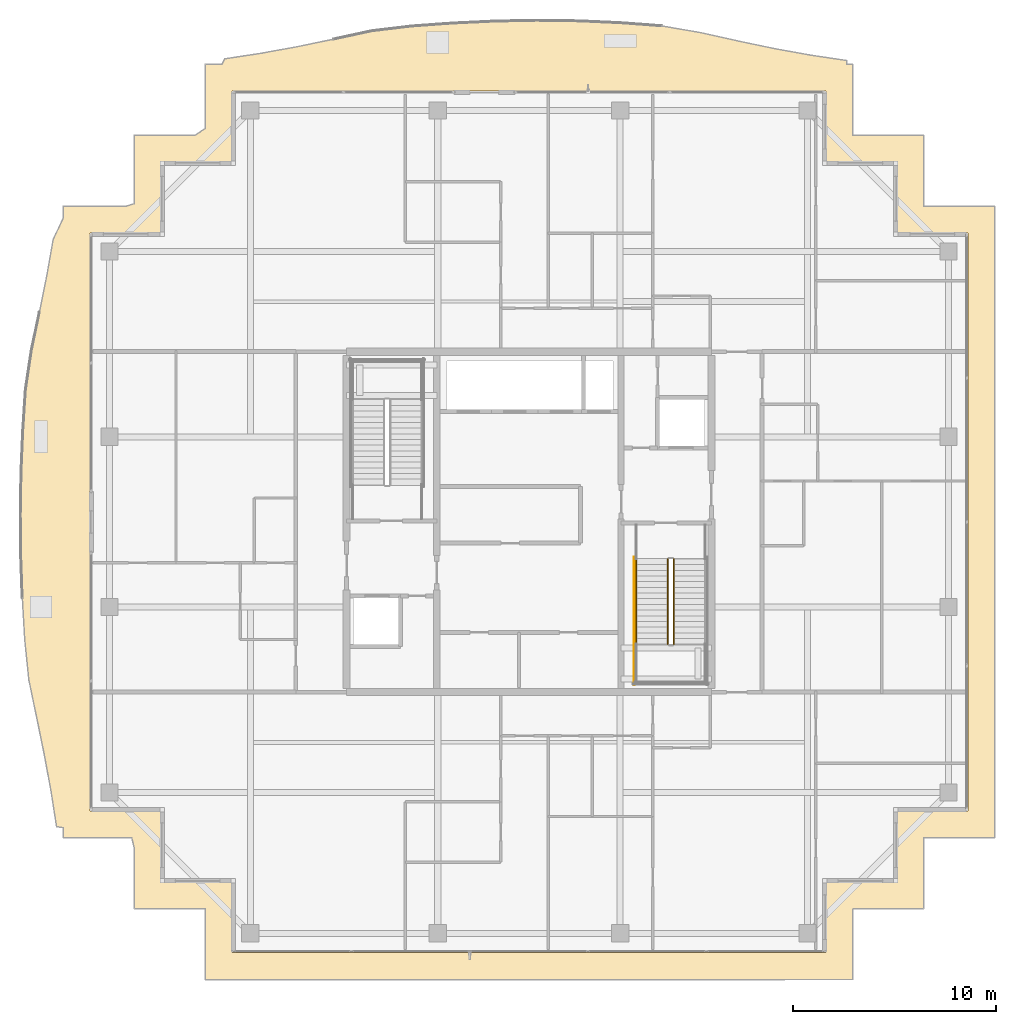
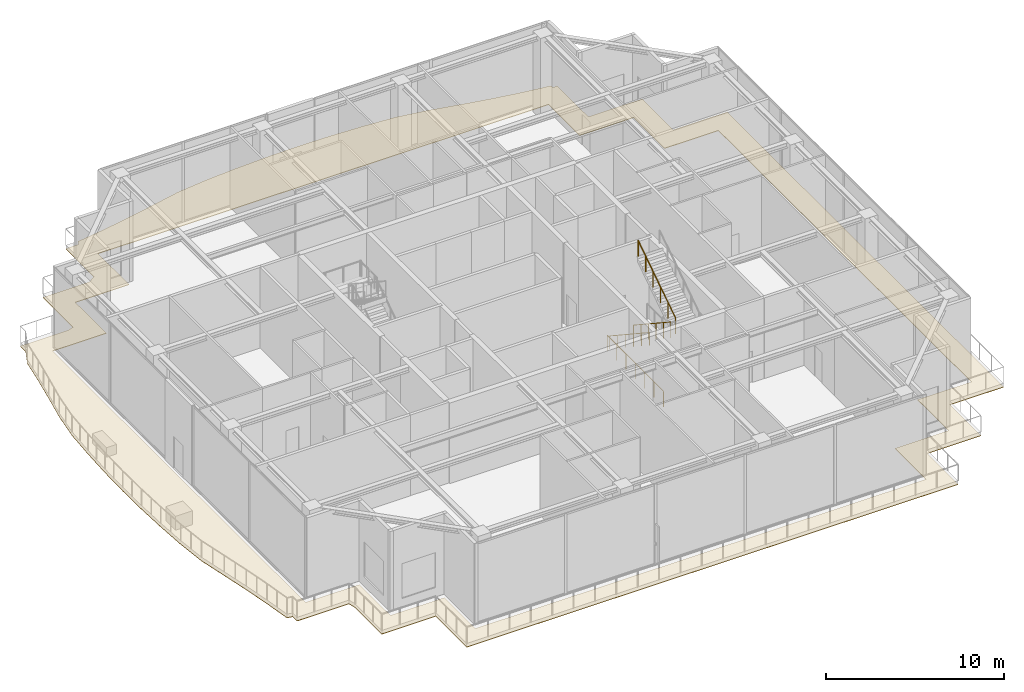
# One storey, part 35 of 38: 4 railings, 1 covering.
"""IFC4 building model written with IfcOpenShell, lengths in metres."""

from ifc_helpers import new_model, si_unit, direction, frame, origin, origin_2d, place, context, subcontext, project, spatial, polyline, circle, outline, extrude, material, layer, layer_set, type_object, element, save


model = new_model("IFC4")

# Units and contexts
model_context = context("Model", 3, precision=1e-05, world=origin(), true_north=direction((0.0, 1.0)))
body_context = subcontext(model_context, "Body", "Model", "MODEL_VIEW")
ifc_project = project(units=[si_unit("LENGTHUNIT", "METRE"), si_unit("AREAUNIT", "SQUARE_METRE"), si_unit("VOLUMEUNIT", "CUBIC_METRE"), si_unit("PLANEANGLEUNIT", "RADIAN"), si_unit("MASSUNIT", "GRAM", prefix="KILO")], contexts=[model_context])

# Site, building, storey
site_placement = place(None, origin())
site = spatial("IfcSite", under=ifc_project, at=site_placement, CompositionType="ELEMENT")
building_placement = place(site_placement, origin())
building = spatial("IfcBuilding", under=site, at=building_placement, Name="Serunith Strait Residences", CompositionType="ELEMENT")
storey_placement = place(building_placement, frame((0.0, 0.0, 353.85009765625)))
storey = spatial("IfcBuildingStorey", under=building, at=storey_placement, Name="L87", CompositionType="ELEMENT", Elevation=353.85009765625)

# Covering
ifc_material_1 = material(Name="Golden Teak Exterior Timber Boarding", Category="wood")
ifc_layer = layer(ifc_material_1, 0.034912109375, Name="Golden Teak Exterior Timber Boarding")
ifc_layer_set = layer_set([ifc_layer], Name="Golden Teak Exterior Timber Boarding")
covering_type = type_object("IfcCoveringType", Name="COV-TEAK-SOFFIT", PredefinedType="CEILING", material=ifc_layer_set)
covering_placement = place(storey_placement, frame((0.0, 0.0, -0.3251953125)))
element("IfcCovering", 1, at=covering_placement, inside=storey, type_object=covering_type, Name="L87 Golden-Teak Balcony Soffit Lining", PredefinedType="CEILING", context=body_context, shape_type="SweptSolid", body=[
    extrude(outline(polyline([(9.419921875, 9.6201171875), (9.419921875, 10.1142578125), (9.08935546875, 10.1630859375), (8.811767578125, 11.931640625), (8.481201171875, 13.720458984375), (8.108154296875, 15.547119140625), (7.716064453125, 17.42919921875), (7.515869140625, 19.420654296875), (7.3984375, 21.45751953125), (7.327392578125, 23.516845703125), (7.307861328125, 25.587158203125), (7.341796875, 27.655517578125), (7.42724609375, 29.708984375), (7.55859375, 31.736083984375), (7.85205078125, 33.685791015625), (8.243408203125, 35.544921875), (8.605224609375, 37.3544921875), (8.919189453125, 39.1328125), (9.419921875, 40.197265625), (9.419921875, 40.780029296875), (12.509765625, 40.780029296875), (12.919921875, 40.90283203125), (12.919921875, 44.280029296875), (15.913818359375, 44.280029296875), (16.419921875, 44.608154296875), (16.419921875, 47.780029296875), (17.244384765625, 47.780029296875), (17.380615234375, 48.052490234375), (19.149169921875, 48.32080078125), (20.935302734375, 48.645751953125), (22.755615234375, 49.02099609375), (24.629150390625, 49.426513671875), (26.61083984375, 49.664306640625), (28.646728515625, 49.809326171875), (30.710205078125, 49.90673828125), (32.7890625, 49.945068359375), (34.867919921875, 49.91748046875), (36.929931640625, 49.82470703125), (38.961181640625, 49.6748046875), (40.902099609375, 49.340087890625), (42.751708984375, 48.92529296875), (44.551513671875, 48.548828125), (46.322509765625, 48.229248046875), (48.081298828125, 47.969970703125), (48.079345703125, 47.780029296875), (48.3798828125, 47.780029296875), (48.3798828125, 44.280029296875), (51.8798828125, 44.280029296875), (51.8798828125, 40.780029296875), (55.3798828125, 40.780029296875), (55.3798828125, 9.6201171875), (51.8798828125, 9.6201171875), (51.8798828125, 6.1201171875), (48.43212890625, 6.1201171875), (48.3798828125, 6.0927734375), (48.3798828125, 2.6201171875), (16.419921875, 2.6201171875), (16.419921875, 6.1201171875), (12.919921875, 6.1201171875), (12.919921875, 9.119140625), (12.79931640625, 9.6201171875), (9.419921875, 9.6201171875)]), holes=[polyline([(47.054931640625, 3.945068359375), (47.054931640625, 7.445068359375), (50.554931640625, 7.445068359375), (50.554931640625, 10.945068359375), (54.054931640625, 10.945068359375), (54.054931640625, 39.455078125), (50.554931640625, 39.455078125), (50.554931640625, 42.955078125), (47.054931640625, 42.955078125), (47.054931640625, 46.455078125), (17.7451171875, 46.455078125), (17.7451171875, 42.955078125), (14.2451171875, 42.955078125), (14.2451171875, 39.455078125), (10.7451171875, 39.455078125), (10.7451171875, 10.945068359375), (14.2451171875, 10.945068359375), (14.2451171875, 7.445068359375), (17.7451171875, 7.445068359375), (17.7451171875, 3.945068359375), (47.054931640625, 3.945068359375)])]), origin(), (0.0, 0.0, 1.0), 0.03515625),
])

# Railings
ifc_material_2 = material(Name="Brushed stainless steel 316L", Category="steel")
railing_type_1 = type_object("IfcRailingType", Name="RLG-STAIR-GUARD", PredefinedType="BALUSTRADE", material=ifc_material_2)
railing_1_placement = place(storey_placement, frame((39.25, 23.3701171875, 0.184326171875)))
element("IfcRailing", 2, at=railing_1_placement, inside=storey, type_object=railing_type_1, Name="L87 ST-2 stair guard 1", PredefinedType="BALUSTRADE", context=body_context, shape_type="SweptSolid", body=[
    extrude(circle(Radius=0.02392578125, at=origin_2d()), frame((0.0, -0.001708984375, 1.0771484375), z_axis=(0.0, -0.835203496638, 0.549941014294), x_axis=(1.0, 0.0, 0.0)), (0.0, 0.0, 1.0), 5.02490234375),
    extrude(circle(Radius=0.02099609375, at=origin_2d()), origin(), (0.0, 0.0, 1.0), 1.050048828125),
    extrude(circle(Radius=0.02099609375, at=origin_2d()), frame((0.0, -0.840087890625, 0.55322265625)), (0.0, 0.0, 1.0), 1.050048828125),
    extrude(circle(Radius=0.02099609375, at=origin_2d()), frame((0.0, -1.68017578125, 1.106201171875)), (0.0, 0.0, 1.0), 1.050048828125),
    extrude(circle(Radius=0.02099609375, at=origin_2d()), frame((0.0, -2.52001953125, 1.659423828125)), (0.0, 0.0, 1.0), 1.050048828125),
    extrude(circle(Radius=0.02099609375, at=origin_2d()), frame((0.0, -3.360107421875, 2.21240234375)), (0.0, 0.0, 1.0), 1.050048828125),
    extrude(circle(Radius=0.02099609375, at=origin_2d()), frame((0.0, -4.2001953125, 2.765625)), (0.0, 0.0, 1.0), 1.050048828125),
])
railing_2_placement = place(storey_placement, frame((39.550048828125, 19.169921875, 3.13427734375)))
element("IfcRailing", 3, at=railing_2_placement, inside=storey, type_object=railing_type_1, Name="L87 ST-2 stair guard 6", PredefinedType="BALUSTRADE", context=body_context, shape_type="SweptSolid", body=[
    extrude(circle(Radius=0.02392578125, at=origin_2d()), frame((0.0, 0.001708984375, 1.0771484375), z_axis=(0.0, 0.835203496638, 0.549941014294), x_axis=(-1.0, 0.0, 0.0)), (0.0, 0.0, 1.0), 5.02490234375),
    extrude(circle(Radius=0.02099609375, at=origin_2d()), origin(), (0.0, 0.0, 1.0), 1.050048828125),
    extrude(circle(Radius=0.02099609375, at=origin_2d()), frame((0.0, 0.840087890625, 0.55322265625)), (0.0, 0.0, 1.0), 1.050048828125),
    extrude(circle(Radius=0.02099609375, at=origin_2d()), frame((0.0, 1.68017578125, 1.106201171875)), (0.0, 0.0, 1.0), 1.050048828125),
    extrude(circle(Radius=0.02099609375, at=origin_2d()), frame((0.0, 2.52001953125, 1.659423828125)), (0.0, 0.0, 1.0), 1.050048828125),
    extrude(circle(Radius=0.02099609375, at=origin_2d()), frame((0.0, 3.360107421875, 2.21240234375)), (0.0, 0.0, 1.0), 1.050048828125),
    extrude(circle(Radius=0.02099609375, at=origin_2d()), frame((0.0, 4.2001953125, 2.765625)), (0.0, 0.0, 1.0), 1.050048828125),
])
railing_3_placement = place(storey_placement, frame((37.60009765625, 23.469970703125, 0.0)))
element("IfcRailing", 4, at=railing_3_placement, inside=storey, type_object=railing_type_1, Name="L87 ST-2 stair guard 10", PredefinedType="BALUSTRADE", context=body_context, shape_type="SweptSolid", body=[
    extrude(circle(Radius=0.02392578125, at=origin_2d()), frame((0.0, -0.001953125, 1.076171875), z_axis=(0.0, -1.0, 0.0), x_axis=(1.0, 0.0, 0.0)), (0.0, 0.0, 1.0), 6.316162109375),
    extrude(circle(Radius=0.02099609375, at=origin_2d()), origin(), (0.0, 0.0, 1.0), 1.050048828125),
    extrude(circle(Radius=0.02099609375, at=origin_2d()), frame((0.0, -1.05322265625, 0.0)), (0.0, 0.0, 1.0), 1.050048828125),
    extrude(circle(Radius=0.02099609375, at=origin_2d()), frame((0.0, -2.106689453125, 0.0)), (0.0, 0.0, 1.0), 1.050048828125),
    extrude(circle(Radius=0.02099609375, at=origin_2d()), frame((0.0, -3.16015625, 0.0)), (0.0, 0.0, 1.0), 1.050048828125),
    extrude(circle(Radius=0.02099609375, at=origin_2d()), frame((0.0, -4.21337890625, 0.0)), (0.0, 0.0, 1.0), 1.050048828125),
    extrude(circle(Radius=0.02099609375, at=origin_2d()), frame((0.0, -5.2666015625, 0.0)), (0.0, 0.0, 1.0), 1.050048828125),
    extrude(circle(Radius=0.02099609375, at=origin_2d()), frame((0.0, -6.320068359375, 0.0)), (0.0, 0.0, 1.0), 1.050048828125),
])
railing_type_2 = type_object("IfcRailingType", Name="RLG-STAIR-HR", PredefinedType="HANDRAIL", material=ifc_material_2)
railing_4_placement = place(storey_placement, frame((37.699951171875, 23.3701171875, 0.184326171875)))
element("IfcRailing", 5, at=railing_4_placement, inside=storey, type_object=railing_type_2, Name="L87 ST-2 stair handrail 1", PredefinedType="HANDRAIL", context=body_context, shape_type="SweptSolid", body=[
    extrude(circle(Radius=0.02392578125, at=origin_2d()), frame((0.0, -0.001708984375, 0.876953125), z_axis=(0.0, -0.834790472991, 0.550567767131), x_axis=(1.0, 0.0, 0.0)), (0.0, 0.0, 1.0), 5.36279296875),
    extrude(circle(Radius=0.02099609375, at=origin_2d()), origin(), (0.0, 0.0, 1.0), 0.849853515625),
    extrude(circle(Radius=0.02099609375, at=origin_2d()), frame((0.0, -0.89599609375, 0.591064453125)), (0.0, 0.0, 1.0), 0.849853515625),
    extrude(circle(Radius=0.02099609375, at=origin_2d()), frame((0.0, -1.7919921875, 1.181884765625)), (0.0, 0.0, 1.0), 0.849853515625),
    extrude(circle(Radius=0.02099609375, at=origin_2d()), frame((0.0, -2.688232421875, 1.77294921875)), (0.0, 0.0, 1.0), 0.849853515625),
    extrude(circle(Radius=0.02099609375, at=origin_2d()), frame((0.0, -3.584228515625, 2.36376953125)), (0.0, 0.0, 1.0), 0.849853515625),
    extrude(circle(Radius=0.02099609375, at=origin_2d()), frame((0.0, -4.480224609375, 2.954833984375)), (0.0, 0.0, 1.0), 0.849853515625),
])

save(model, "model.ifc")
